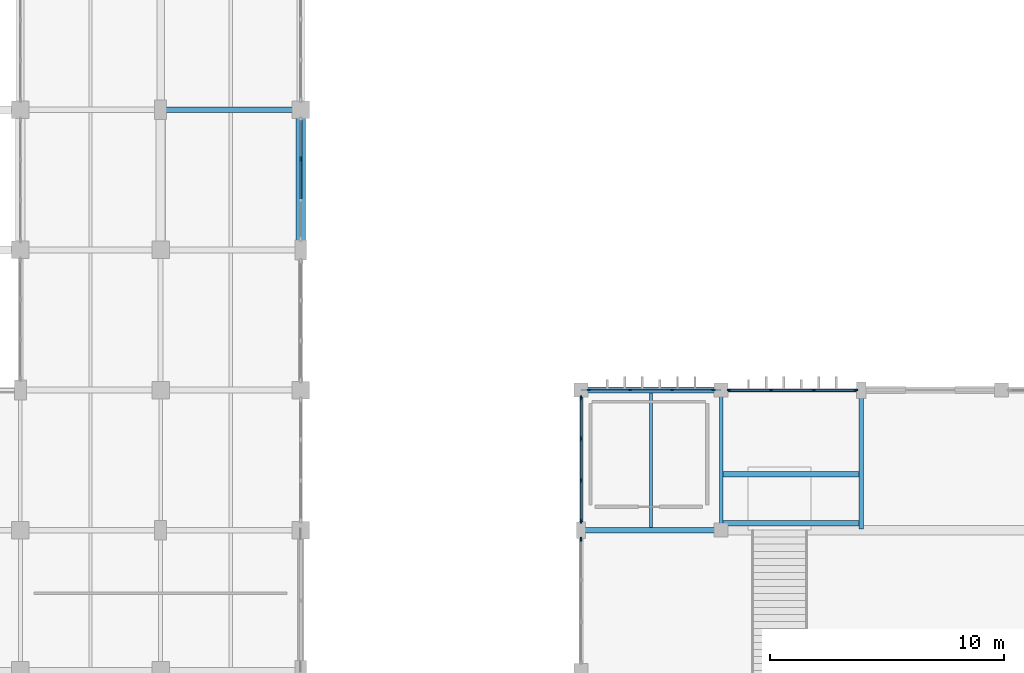
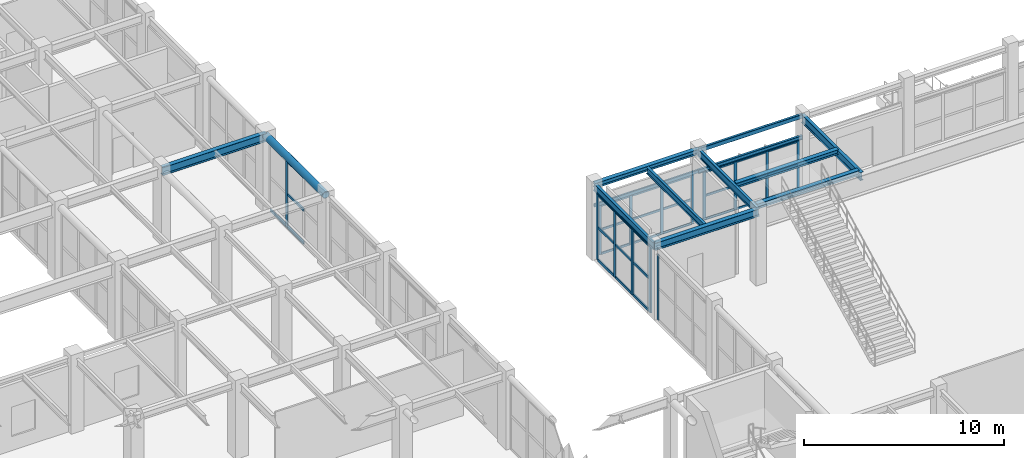
# One storey, part 12 of 76: 45 members, 13 beams, 5 elements without a shape of their own.
"""IFC4 building model written with IfcOpenShell, lengths in metres."""

from ifc_helpers import new_model, si_unit, direction, frame, origin, origin_2d, place, context, subcontext, project, spatial, rectangle, hollow_rectangle, hollow_circle, i_section, extrude, material, material_profile, profile_set, type_object, element, aggregate, save


model = new_model("IFC4")

# Units and contexts
model_context = context("Model", 3, precision=1e-05, world=origin(), true_north=direction((0.0, 1.0)))
body_context = subcontext(model_context, "Body", "Model", "MODEL_VIEW")
ifc_project = project(units=[si_unit("LENGTHUNIT", "METRE"), si_unit("AREAUNIT", "SQUARE_METRE"), si_unit("VOLUMEUNIT", "CUBIC_METRE"), si_unit("PLANEANGLEUNIT", "RADIAN"), si_unit("MASSUNIT", "GRAM", prefix="KILO")], contexts=[model_context])

# Site, building, storey
site_placement = place(None, origin())
site = spatial("IfcSite", under=ifc_project, at=site_placement, CompositionType="ELEMENT")
building_placement = place(site_placement, origin())
building = spatial("IfcBuilding", under=site, at=building_placement, Name="Varnakota Square Police Headquarters", CompositionType="ELEMENT")
storey_placement = place(building_placement, origin())
storey = spatial("IfcBuildingStorey", under=building, at=storey_placement, Name="L00", CompositionType="ELEMENT", Elevation=0.0)

# Beams
ifc_material_1 = material(Name="Steel IS 2062 Grade 350", Category="steel")
ifc_material_profile_1 = material_profile(ifc_material_1, hollow_circle(Radius=0.203125, WallThickness=0.01611328125, at=origin_2d()), Name="CHS 406.4x16.0")
ifc_profile_set_1 = profile_set([ifc_material_profile_1], Name="Steel IS 2062 Grade 350")
beam_type_1 = type_object("IfcBeamType", Name="BM-ARC-CHS406", PredefinedType="BEAM", material=ifc_profile_set_1)
beam_1_placement = place(storey_placement, frame((42.0, 45.0, 4.296875), z_axis=(0.0, 1.0, 0.0), x_axis=(-1.0, 0.0, 0.0)))
element("IfcBeam", 1, at=beam_1_placement, inside=storey, type_object=beam_type_1, Name="BMG-L00-1017", PredefinedType="BEAM", context=body_context, shape_type="SweptSolid", body=[
    extrude(hollow_circle(Radius=0.203125, WallThickness=0.01611328125, at=origin_2d()), origin(), (0.0, 0.0, 1.0), 6.0),
])
ifc_material_profile_2 = material_profile(ifc_material_1, hollow_rectangle(XDim=0.14990234375, YDim=0.25, WallThickness=0.010009765625, InnerFilletRadius=0.010009765625, OuterFilletRadius=0.02001953125, at=origin_2d()), Name="RHS 250x150x10")
ifc_profile_set_2 = profile_set([ifc_material_profile_2], Name="Steel IS 2062 Grade 350")
beam_type_2 = type_object("IfcBeamType", Name="BM-CBEAM-RHS250", PredefinedType="BEAM", material=ifc_profile_set_2)
beam_2_placement = place(storey_placement, frame((60.0, 39.0, 4.375), z_axis=(1.0, 0.0, 0.0), x_axis=(0.0, 1.0, 0.0)))
element("IfcBeam", 2, at=beam_2_placement, inside=storey, type_object=beam_type_2, Name="BMG-L00-0780", PredefinedType="BEAM", context=body_context, shape_type="SweptSolid", body=[
    extrude(hollow_rectangle(XDim=0.14990234375, YDim=0.25, WallThickness=0.010009765625, InnerFilletRadius=0.010009765625, OuterFilletRadius=0.02001953125, at=origin_2d()), origin(), (0.0, 0.0, 1.0), 6.0),
])
ifc_material_profile_3 = material_profile(ifc_material_1, i_section(OverallWidth=0.25, OverallDepth=0.300048828125, WebThickness=0.009521484375, FlangeThickness=0.010498046875, FilletRadius=0.011962890625, at=origin_2d()), Name="ISHB 300")
ifc_profile_set_3 = profile_set([ifc_material_profile_3], Name="Steel IS 2062 Grade 350")
beam_type_3 = type_object("IfcBeamType", Name="BM-ISHB300", PredefinedType="BEAM", material=ifc_profile_set_3)
beam_3_placement = place(storey_placement, frame((54.0, 39.0, 4.35009765625), z_axis=(1.0, 0.0, 0.0), x_axis=(0.0, 1.0, 0.0)))
element("IfcBeam", 3, at=beam_3_placement, inside=storey, type_object=beam_type_3, Name="BMG-L00-0779", PredefinedType="BEAM", context=body_context, shape_type="SweptSolid", body=[
    extrude(i_section(OverallWidth=0.25, OverallDepth=0.300048828125, WebThickness=0.009521484375, FlangeThickness=0.010498046875, FilletRadius=0.011962890625, at=origin_2d()), origin(), (0.0, 0.0, 1.0), 6.0),
])
for number, where, z_axis, x_axis, name in (
    (4, (60.050048828125, 33.300048828125, 4.429931640625), (1.0, 0.0, 0.0), (0.0, 1.0, 0.0), "Feature stair landing front trimmer L00"),
    (5, (60.050048828125, 35.39990234375, 4.429931640625), (1.0, 0.0, 0.0), (0.0, 1.0, 0.0), "Feature stair landing rear trimmer L00"),
):
    element("IfcBeam", number, at=place(storey_placement, frame(where, z_axis=z_axis, x_axis=x_axis)), inside=storey, type_object=beam_type_3, Name=name, PredefinedType="BEAM", context=body_context, shape_type="SweptSolid", body=[
        extrude(i_section(OverallWidth=0.25, OverallDepth=0.300048828125, WebThickness=0.009521484375, FlangeThickness=0.010498046875, FilletRadius=0.011962890625, at=origin_2d()), origin(), (0.0, 0.0, 1.0), 5.89990234375),
    ])
ifc_material_profile_4 = material_profile(ifc_material_1, i_section(OverallWidth=0.25, OverallDepth=0.449951171875, WebThickness=0.01123046875, FlangeThickness=0.013671875, FilletRadius=0.014892578125, at=origin_2d()), Name="ISHB 450")
ifc_profile_set_4 = profile_set([ifc_material_profile_4], Name="Steel IS 2062 Grade 350")
beam_type_4 = type_object("IfcBeamType", Name="BM-ISHB450", PredefinedType="BEAM", material=ifc_profile_set_4)
beam_4_placement = place(storey_placement, frame((54.0, 33.0, 4.27490234375), z_axis=(1.0, 0.0, 0.0), x_axis=(0.0, 1.0, 0.0)))
element("IfcBeam", 6, at=beam_4_placement, inside=storey, type_object=beam_type_4, Name="BMG-L00-0768", PredefinedType="BEAM", context=body_context, shape_type="SweptSolid", body=[
    extrude(i_section(OverallWidth=0.25, OverallDepth=0.449951171875, WebThickness=0.01123046875, FlangeThickness=0.013671875, FilletRadius=0.014892578125, at=origin_2d()), origin(), (0.0, 0.0, 1.0), 6.0),
])
ifc_material_profile_5 = material_profile(ifc_material_1, i_section(OverallWidth=0.125, OverallDepth=0.25, WebThickness=0.0068359375, FlangeThickness=0.012451171875, FilletRadius=0.012939453125, at=origin_2d()), Name="ISMB 250")
ifc_profile_set_5 = profile_set([ifc_material_profile_5], Name="Steel IS 2062 Grade 350")
beam_type_5 = type_object("IfcBeamType", Name="BM-ISMB250", PredefinedType="LINTEL", material=ifc_profile_set_5)
beam_5_placement = place(storey_placement, frame((60.0, 39.0, 3.074951171875), z_axis=(1.0, 0.0, 0.0), x_axis=(0.0, 1.0, 0.0)))
element("IfcBeam", 7, at=beam_5_placement, inside=storey, type_object=beam_type_5, Name="Court lintel LNT-N02", PredefinedType="LINTEL", context=body_context, shape_type="SweptSolid", body=[
    extrude(i_section(OverallWidth=0.125, OverallDepth=0.25, WebThickness=0.0068359375, FlangeThickness=0.012451171875, FilletRadius=0.012939453125, at=origin_2d()), origin(), (0.0, 0.0, 1.0), 6.0),
])
ifc_material_profile_6 = material_profile(ifc_material_1, i_section(OverallWidth=0.139892578125, OverallDepth=0.39990234375, WebThickness=0.0087890625, FlangeThickness=0.01611328125, FilletRadius=0.013916015625, at=origin_2d()), Name="ISMB 400")
ifc_profile_set_6 = profile_set([ifc_material_profile_6], Name="Steel IS 2062 Grade 350")
beam_type_6 = type_object("IfcBeamType", Name="BM-ISMB400", PredefinedType="JOIST", material=ifc_profile_set_6)
beam_6_placement = place(storey_placement, frame((57.0, 33.123046875, 4.300048828125), z_axis=(0.0, 1.0, 0.0), x_axis=(-1.0, 0.0, 0.0)))
element("IfcBeam", 8, at=beam_6_placement, inside=storey, type_object=beam_type_6, Name="BMG-L00-1242", PredefinedType="JOIST", context=body_context, shape_type="SweptSolid", body=[
    extrude(i_section(OverallWidth=0.139892578125, OverallDepth=0.39990234375, WebThickness=0.0087890625, FlangeThickness=0.01611328125, FilletRadius=0.013916015625, at=origin_2d()), origin(), (0.0, 0.0, 1.0), 5.75390625),
])
ifc_material_profile_7 = material_profile(ifc_material_1, i_section(OverallWidth=0.14990234375, OverallDepth=0.449951171875, WebThickness=0.009521484375, FlangeThickness=0.017333984375, FilletRadius=0.014892578125, at=origin_2d()), Name="ISMB 450")
ifc_profile_set_7 = profile_set([ifc_material_profile_7], Name="Steel IS 2062 Grade 350")
beam_type_7 = type_object("IfcBeamType", Name="BM-ISMB450", PredefinedType="BEAM", material=ifc_profile_set_7)
for number, where, z_axis, x_axis, name in (
    (9, (54.0, 33.0, 4.27490234375), (0.0, 1.0, 0.0), (-1.0, 0.0, 0.0), "BMG-L00-1035"),
    (10, (60.0, 33.0, 4.27490234375), (0.0, 1.0, 0.0), (-1.0, 0.0, 0.0), "BMG-L00-1043"),
):
    element("IfcBeam", number, at=place(storey_placement, frame(where, z_axis=z_axis, x_axis=x_axis)), inside=storey, type_object=beam_type_7, Name=name, PredefinedType="BEAM", context=body_context, shape_type="SweptSolid", body=[
        extrude(i_section(OverallWidth=0.14990234375, OverallDepth=0.449951171875, WebThickness=0.009521484375, FlangeThickness=0.017333984375, FilletRadius=0.014892578125, at=origin_2d()), origin(), (0.0, 0.0, 1.0), 6.0),
    ])
ifc_material_profile_8 = material_profile(ifc_material_1, i_section(OverallWidth=0.179931640625, OverallDepth=0.5, WebThickness=0.01025390625, FlangeThickness=0.01708984375, FilletRadius=0.01708984375, at=origin_2d()), Name="ISMB 500")
ifc_profile_set_8 = profile_set([ifc_material_profile_8], Name="Steel IS 2062 Grade 350")
beam_type_8 = type_object("IfcBeamType", Name="BM-ISMB500", PredefinedType="BEAM", material=ifc_profile_set_8)
beam_7_placement = place(storey_placement, frame((66.0, 33.050048828125, 4.27001953125), z_axis=(0.0, 1.0, 0.0), x_axis=(-1.0, 0.0, 0.0)))
element("IfcBeam", 11, at=beam_7_placement, inside=storey, type_object=beam_type_8, Name="Gallery trimmer girder ST-CIV1 E", PredefinedType="BEAM", context=body_context, shape_type="SweptSolid", body=[
    extrude(i_section(OverallWidth=0.179931640625, OverallDepth=0.5, WebThickness=0.01025390625, FlangeThickness=0.01708984375, FilletRadius=0.01708984375, at=origin_2d()), origin(), (0.0, 0.0, 1.0), 5.89990234375),
])
ifc_material_profile_9 = material_profile(ifc_material_1, i_section(OverallWidth=0.25, OverallDepth=0.5, WebThickness=0.010009765625, FlangeThickness=0.0146484375, FilletRadius=0.014892578125, at=origin_2d()), Name="ISWB 500")
ifc_profile_set_9 = profile_set([ifc_material_profile_9], Name="Steel IS 2062 Grade 350")
beam_type_9 = type_object("IfcBeamType", Name="BM-ISWB500", PredefinedType="BEAM", material=ifc_profile_set_9)
beam_8_placement = place(storey_placement, frame((36.0, 51.0, 4.25), z_axis=(1.0, 0.0, 0.0), x_axis=(0.0, 1.0, 0.0)))
element("IfcBeam", 12, at=beam_8_placement, inside=storey, type_object=beam_type_9, Name="BMG-L00-0802", PredefinedType="BEAM", context=body_context, shape_type="SweptSolid", body=[
    extrude(i_section(OverallWidth=0.25, OverallDepth=0.5, WebThickness=0.010009765625, FlangeThickness=0.0146484375, FilletRadius=0.014892578125, at=origin_2d()), origin(), (0.0, 0.0, 1.0), 6.0),
])
ifc_material_profile_10 = material_profile(ifc_material_1, hollow_rectangle(XDim=0.10009765625, YDim=0.199951171875, WallThickness=0.008056640625, InnerFilletRadius=0.008056640625, OuterFilletRadius=0.01611328125, at=origin_2d()), Name="RHS 200x100x8")
ifc_profile_set_10 = profile_set([ifc_material_profile_10], Name="Steel IS 2062 Grade 350")
beam_type_10 = type_object("IfcBeamType", Name="BM-LNT-RHS200", PredefinedType="LINTEL", material=ifc_profile_set_10)
beam_9_placement = place(storey_placement, frame((54.0, 39.0, 3.10009765625), z_axis=(1.0, 0.0, 0.0), x_axis=(0.0, 1.0, 0.0)))
element("IfcBeam", 13, at=beam_9_placement, inside=storey, type_object=beam_type_10, Name="Court lintel LNT-N01", PredefinedType="LINTEL", context=body_context, shape_type="SweptSolid", body=[
    extrude(hollow_rectangle(XDim=0.10009765625, YDim=0.199951171875, WallThickness=0.008056640625, InnerFilletRadius=0.008056640625, OuterFilletRadius=0.01611328125, at=origin_2d()), origin(), (0.0, 0.0, 1.0), 6.0),
])

# Curtain wall, members
ifc_material_2 = material(Name="Anodised Aluminium Framing", Category="aluminium")
curtain_wall_type_1 = type_object("IfcCurtainWallType", Name="CW-SYS-A", PredefinedType="NOTDEFINED", material=ifc_material_2)
curtain_wall_1_placement = place(storey_placement, origin())
curtain_wall_1 = element("IfcCurtainWall", 14, at=curtain_wall_1_placement, inside=storey, type_object=curtain_wall_type_1, Name="Unitised curtain wall CWG-L00-002", PredefinedType="NOTDEFINED")
ifc_material_3 = material(Name="Anodised Aluminium 6063-T6", Category="aluminium")
ifc_material_profile_11 = material_profile(ifc_material_3, rectangle(XDim=0.06494140625, YDim=0.159912109375, at=origin_2d()), Name="ALU MULLION 65x160")
ifc_profile_set_11 = profile_set([ifc_material_profile_11], Name="Anodised Aluminium 6063-T6")
member_type_1 = type_object("IfcMemberType", Name="CWM-150", PredefinedType="MULLION", material=ifc_profile_set_11)
member_1_placement = place(storey_placement, frame((54.33740234375, 39.0, 0.0), z_axis=(0.0, 0.0, 1.0), x_axis=(0.0, 1.0, 0.0)))
member_1 = element("IfcMember", 15, at=member_1_placement, type_object=member_type_1, Name="CWG-L00-002 mullion 1", PredefinedType="MULLION", context=body_context, shape_type="SweptSolid", body=[
    extrude(rectangle(XDim=0.06494140625, YDim=0.159912109375, at=origin_2d()), origin(), (0.0, 0.0, 1.0), 2.989990234375),
])
member_2_placement = place(storey_placement, frame((56.1015625, 39.0, 0.0), z_axis=(0.0, 0.0, 1.0), x_axis=(0.0, 1.0, 0.0)))
member_2 = element("IfcMember", 16, at=member_2_placement, type_object=member_type_1, Name="CWG-L00-002 mullion 2", PredefinedType="MULLION", context=body_context, shape_type="SweptSolid", body=[
    extrude(rectangle(XDim=0.06494140625, YDim=0.159912109375, at=origin_2d()), origin(), (0.0, 0.0, 1.0), 2.989990234375),
])
member_3_placement = place(storey_placement, frame((57.8984375, 39.0, 0.0), z_axis=(0.0, 0.0, 1.0), x_axis=(0.0, 1.0, 0.0)))
member_3 = element("IfcMember", 17, at=member_3_placement, type_object=member_type_1, Name="CWG-L00-002 mullion 3", PredefinedType="MULLION", context=body_context, shape_type="SweptSolid", body=[
    extrude(rectangle(XDim=0.06494140625, YDim=0.159912109375, at=origin_2d()), origin(), (0.0, 0.0, 1.0), 2.989990234375),
])
member_4_placement = place(storey_placement, frame((59.66259765625, 39.0, 0.0), z_axis=(0.0, 0.0, 1.0), x_axis=(0.0, 1.0, 0.0)))
member_4 = element("IfcMember", 18, at=member_4_placement, type_object=member_type_1, Name="CWG-L00-002 mullion 4", PredefinedType="MULLION", context=body_context, shape_type="SweptSolid", body=[
    extrude(rectangle(XDim=0.06494140625, YDim=0.159912109375, at=origin_2d()), origin(), (0.0, 0.0, 1.0), 2.989990234375),
])

curtain_wall_2_placement = place(storey_placement, origin())
curtain_wall_2 = element("IfcCurtainWall", 19, at=curtain_wall_2_placement, inside=storey, type_object=curtain_wall_type_1, Name="Unitised curtain wall CWG-L00-003", PredefinedType="NOTDEFINED")
member_5_placement = place(storey_placement, frame((60.33740234375, 39.0, 0.0), z_axis=(0.0, 0.0, 1.0), x_axis=(0.0, 1.0, 0.0)))
member_5 = element("IfcMember", 20, at=member_5_placement, type_object=member_type_1, Name="CWG-L00-003 mullion 1", PredefinedType="MULLION", context=body_context, shape_type="SweptSolid", body=[
    extrude(rectangle(XDim=0.06494140625, YDim=0.159912109375, at=origin_2d()), origin(), (0.0, 0.0, 1.0), 2.93994140625),
])
member_6_placement = place(storey_placement, frame((62.135009765625, 39.0, 0.0), z_axis=(0.0, 0.0, 1.0), x_axis=(0.0, 1.0, 0.0)))
member_6 = element("IfcMember", 21, at=member_6_placement, type_object=member_type_1, Name="CWG-L00-003 mullion 2", PredefinedType="MULLION", context=body_context, shape_type="SweptSolid", body=[
    extrude(rectangle(XDim=0.06494140625, YDim=0.159912109375, at=origin_2d()), origin(), (0.0, 0.0, 1.0), 2.93994140625),
])
member_7_placement = place(storey_placement, frame((63.965087890625, 39.0, 0.0), z_axis=(0.0, 0.0, 1.0), x_axis=(0.0, 1.0, 0.0)))
member_7 = element("IfcMember", 22, at=member_7_placement, type_object=member_type_1, Name="CWG-L00-003 mullion 3", PredefinedType="MULLION", context=body_context, shape_type="SweptSolid", body=[
    extrude(rectangle(XDim=0.06494140625, YDim=0.159912109375, at=origin_2d()), origin(), (0.0, 0.0, 1.0), 2.93994140625),
])
member_8_placement = place(storey_placement, frame((65.762451171875, 39.0, 0.0), z_axis=(0.0, 0.0, 1.0), x_axis=(0.0, 1.0, 0.0)))
member_8 = element("IfcMember", 23, at=member_8_placement, type_object=member_type_1, Name="CWG-L00-003 mullion 4", PredefinedType="MULLION", context=body_context, shape_type="SweptSolid", body=[
    extrude(rectangle(XDim=0.06494140625, YDim=0.159912109375, at=origin_2d()), origin(), (0.0, 0.0, 1.0), 2.93994140625),
])

# Curtain wall, member
curtain_wall_3_placement = place(storey_placement, origin())
curtain_wall_3 = element("IfcCurtainWall", 24, at=curtain_wall_3_placement, inside=storey, type_object=curtain_wall_type_1, Name="Unitised curtain wall CWG-L00-012", PredefinedType="NOTDEFINED")
member_9_placement = place(storey_placement, frame((54.0, 32.612548828125, 0.0), z_axis=(0.0, 0.0, 1.0), x_axis=(-1.0, 0.0, 0.0)))
member_9 = element("IfcMember", 25, at=member_9_placement, type_object=member_type_1, Name="CWG-L00-012 mullion 4", PredefinedType="MULLION", context=body_context, shape_type="SweptSolid", body=[
    extrude(rectangle(XDim=0.06494140625, YDim=0.159912109375, at=origin_2d()), origin(), (0.0, 0.0, 1.0), 3.989990234375),
])
aggregate(curtain_wall_3, [member_9])

# Curtain wall, members
curtain_wall_4_placement = place(storey_placement, origin())
curtain_wall_4 = element("IfcCurtainWall", 26, at=curtain_wall_4_placement, inside=storey, type_object=curtain_wall_type_1, Name="Unitised curtain wall CWG-L00-014", PredefinedType="NOTDEFINED")
ifc_material_profile_12 = material_profile(ifc_material_3, rectangle(XDim=0.074951171875, YDim=0.199951171875, at=origin_2d()), Name="ALU MULLION 75x200")
ifc_profile_set_12 = profile_set([ifc_material_profile_12], Name="Anodised Aluminium 6063-T6")
member_type_2 = type_object("IfcMemberType", Name="CWM-180", PredefinedType="MULLION", material=ifc_profile_set_12)
member_10_placement = place(storey_placement, frame((54.0, 33.392578125, 0.0), z_axis=(0.0, 0.0, 1.0), x_axis=(-1.0, 0.0, 0.0)))
member_10 = element("IfcMember", 27, at=member_10_placement, type_object=member_type_2, Name="CWG-L00-014 mullion 1", PredefinedType="MULLION", context=body_context, shape_type="SweptSolid", body=[
    extrude(rectangle(XDim=0.074951171875, YDim=0.199951171875, at=origin_2d()), origin(), (0.0, 0.0, 1.0), 4.0400390625),
])
member_11_placement = place(storey_placement, frame((54.0, 35.135009765625, 0.0), z_axis=(0.0, 0.0, 1.0), x_axis=(-1.0, 0.0, 0.0)))
member_11 = element("IfcMember", 28, at=member_11_placement, type_object=member_type_2, Name="CWG-L00-014 mullion 2", PredefinedType="MULLION", context=body_context, shape_type="SweptSolid", body=[
    extrude(rectangle(XDim=0.074951171875, YDim=0.199951171875, at=origin_2d()), origin(), (0.0, 0.0, 1.0), 4.0400390625),
])
member_12_placement = place(storey_placement, frame((54.0, 36.9150390625, 0.0), z_axis=(0.0, 0.0, 1.0), x_axis=(-1.0, 0.0, 0.0)))
member_12 = element("IfcMember", 29, at=member_12_placement, type_object=member_type_2, Name="CWG-L00-014 mullion 3", PredefinedType="MULLION", context=body_context, shape_type="SweptSolid", body=[
    extrude(rectangle(XDim=0.074951171875, YDim=0.199951171875, at=origin_2d()), origin(), (0.0, 0.0, 1.0), 4.0400390625),
])
member_13_placement = place(storey_placement, frame((54.0, 38.657470703125, 0.0), z_axis=(0.0, 0.0, 1.0), x_axis=(-1.0, 0.0, 0.0)))
member_13 = element("IfcMember", 30, at=member_13_placement, type_object=member_type_2, Name="CWG-L00-014 mullion 4", PredefinedType="MULLION", context=body_context, shape_type="SweptSolid", body=[
    extrude(rectangle(XDim=0.074951171875, YDim=0.199951171875, at=origin_2d()), origin(), (0.0, 0.0, 1.0), 4.0400390625),
])

# Curtain wall, member
curtain_wall_type_2 = type_object("IfcCurtainWallType", Name="CW-SYS-D", PredefinedType="NOTDEFINED", material=ifc_material_2)
curtain_wall_5_placement = place(storey_placement, origin())
curtain_wall_5 = element("IfcCurtainWall", 31, at=curtain_wall_5_placement, inside=storey, type_object=curtain_wall_type_2, Name="Unitised curtain wall CWG-L00-130", PredefinedType="NOTDEFINED")
member_14_placement = place(storey_placement, frame((42.0, 48.889892578125, 0.0), z_axis=(0.0, 0.0, 1.0), x_axis=(-1.0, 0.0, 0.0)))
member_14 = element("IfcMember", 32, at=member_14_placement, type_object=member_type_2, Name="CWG-L00-130 mullion 3", PredefinedType="MULLION", context=body_context, shape_type="SweptSolid", body=[
    extrude(rectangle(XDim=0.074951171875, YDim=0.199951171875, at=origin_2d()), origin(), (0.0, 0.0, 1.0), 4.08349609375),
])

# Member
ifc_material_profile_13 = material_profile(ifc_material_3, rectangle(XDim=0.06494140625, YDim=0.1298828125, at=origin_2d()), Name="ALU TRANSOM 65x130")
ifc_profile_set_13 = profile_set([ifc_material_profile_13], Name="Anodised Aluminium 6063-T6")
member_type_3 = type_object("IfcMemberType", Name="CWT-120", PredefinedType="USERDEFINED", material=ifc_profile_set_13)
member_15_placement = place(storey_placement, frame((54.3701171875, 39.0, 0.032470703125), z_axis=(1.0, 0.0, 0.0), x_axis=(0.0, 1.0, 0.0)))
member_15 = element("IfcMember", 33, at=member_15_placement, type_object=member_type_3, Name="CWG-L00-002 transom 1.1", ObjectType="TRANSOM", PredefinedType="USERDEFINED", context=body_context, shape_type="SweptSolid", body=[
    extrude(rectangle(XDim=0.06494140625, YDim=0.1298828125, at=origin_2d()), origin(), (0.0, 0.0, 1.0), 1.698974609375),
])

member_16_placement = place(storey_placement, frame((54.3701171875, 39.0, 1.4951171875), z_axis=(1.0, 0.0, 0.0), x_axis=(0.0, 1.0, 0.0)))
member_16 = element("IfcMember", 34, at=member_16_placement, type_object=member_type_3, Name="CWG-L00-002 transom 1.2", ObjectType="TRANSOM", PredefinedType="USERDEFINED", context=body_context, shape_type="SweptSolid", body=[
    extrude(rectangle(XDim=0.06494140625, YDim=0.1298828125, at=origin_2d()), origin(), (0.0, 0.0, 1.0), 1.698974609375),
])

member_17_placement = place(storey_placement, frame((54.3701171875, 39.0, 2.95751953125), z_axis=(1.0, 0.0, 0.0), x_axis=(0.0, 1.0, 0.0)))
member_17 = element("IfcMember", 35, at=member_17_placement, type_object=member_type_3, Name="CWG-L00-002 transom 1.3", ObjectType="TRANSOM", PredefinedType="USERDEFINED", context=body_context, shape_type="SweptSolid", body=[
    extrude(rectangle(XDim=0.06494140625, YDim=0.1298828125, at=origin_2d()), origin(), (0.0, 0.0, 1.0), 1.698974609375),
])

member_18_placement = place(storey_placement, frame((56.13427734375, 39.0, 0.032470703125), z_axis=(1.0, 0.0, 0.0), x_axis=(0.0, 1.0, 0.0)))
member_18 = element("IfcMember", 36, at=member_18_placement, type_object=member_type_3, Name="CWG-L00-002 transom 2.1", ObjectType="TRANSOM", PredefinedType="USERDEFINED", context=body_context, shape_type="SweptSolid", body=[
    extrude(rectangle(XDim=0.06494140625, YDim=0.1298828125, at=origin_2d()), origin(), (0.0, 0.0, 1.0), 1.7314453125),
])

member_19_placement = place(storey_placement, frame((56.13427734375, 39.0, 1.4951171875), z_axis=(1.0, 0.0, 0.0), x_axis=(0.0, 1.0, 0.0)))
member_19 = element("IfcMember", 37, at=member_19_placement, type_object=member_type_3, Name="CWG-L00-002 transom 2.2", ObjectType="TRANSOM", PredefinedType="USERDEFINED", context=body_context, shape_type="SweptSolid", body=[
    extrude(rectangle(XDim=0.06494140625, YDim=0.1298828125, at=origin_2d()), origin(), (0.0, 0.0, 1.0), 1.7314453125),
])

member_20_placement = place(storey_placement, frame((56.13427734375, 39.0, 2.95751953125), z_axis=(1.0, 0.0, 0.0), x_axis=(0.0, 1.0, 0.0)))
member_20 = element("IfcMember", 38, at=member_20_placement, type_object=member_type_3, Name="CWG-L00-002 transom 2.3", ObjectType="TRANSOM", PredefinedType="USERDEFINED", context=body_context, shape_type="SweptSolid", body=[
    extrude(rectangle(XDim=0.06494140625, YDim=0.1298828125, at=origin_2d()), origin(), (0.0, 0.0, 1.0), 1.7314453125),
])

member_21_placement = place(storey_placement, frame((57.930908203125, 39.0, 0.032470703125), z_axis=(1.0, 0.0, 0.0), x_axis=(0.0, 1.0, 0.0)))
member_21 = element("IfcMember", 39, at=member_21_placement, type_object=member_type_3, Name="CWG-L00-002 transom 3.1", ObjectType="TRANSOM", PredefinedType="USERDEFINED", context=body_context, shape_type="SweptSolid", body=[
    extrude(rectangle(XDim=0.06494140625, YDim=0.1298828125, at=origin_2d()), origin(), (0.0, 0.0, 1.0), 1.698974609375),
])

member_22_placement = place(storey_placement, frame((57.930908203125, 39.0, 1.4951171875), z_axis=(1.0, 0.0, 0.0), x_axis=(0.0, 1.0, 0.0)))
member_22 = element("IfcMember", 40, at=member_22_placement, type_object=member_type_3, Name="CWG-L00-002 transom 3.2", ObjectType="TRANSOM", PredefinedType="USERDEFINED", context=body_context, shape_type="SweptSolid", body=[
    extrude(rectangle(XDim=0.06494140625, YDim=0.1298828125, at=origin_2d()), origin(), (0.0, 0.0, 1.0), 1.698974609375),
])

member_23_placement = place(storey_placement, frame((57.930908203125, 39.0, 2.95751953125), z_axis=(1.0, 0.0, 0.0), x_axis=(0.0, 1.0, 0.0)))
member_23 = element("IfcMember", 41, at=member_23_placement, type_object=member_type_3, Name="CWG-L00-002 transom 3.3", ObjectType="TRANSOM", PredefinedType="USERDEFINED", context=body_context, shape_type="SweptSolid", body=[
    extrude(rectangle(XDim=0.06494140625, YDim=0.1298828125, at=origin_2d()), origin(), (0.0, 0.0, 1.0), 1.698974609375),
])

aggregate(curtain_wall_1, [member_1, member_2, member_3, member_4, member_15, member_16, member_17, member_18, member_19, member_20, member_21, member_22, member_23])

member_24_placement = place(storey_placement, frame((60.3701171875, 39.0, 0.032470703125), z_axis=(1.0, 0.0, 0.0), x_axis=(0.0, 1.0, 0.0)))
member_24 = element("IfcMember", 42, at=member_24_placement, type_object=member_type_3, Name="CWG-L00-003 transom 1.1", ObjectType="TRANSOM", PredefinedType="USERDEFINED", context=body_context, shape_type="SweptSolid", body=[
    extrude(rectangle(XDim=0.06494140625, YDim=0.1298828125, at=origin_2d()), origin(), (0.0, 0.0, 1.0), 1.732421875),
])

member_25_placement = place(storey_placement, frame((60.3701171875, 39.0, 1.469970703125), z_axis=(1.0, 0.0, 0.0), x_axis=(0.0, 1.0, 0.0)))
member_25 = element("IfcMember", 43, at=member_25_placement, type_object=member_type_3, Name="CWG-L00-003 transom 1.2", ObjectType="TRANSOM", PredefinedType="USERDEFINED", context=body_context, shape_type="SweptSolid", body=[
    extrude(rectangle(XDim=0.06494140625, YDim=0.1298828125, at=origin_2d()), origin(), (0.0, 0.0, 1.0), 1.732421875),
])

member_26_placement = place(storey_placement, frame((60.3701171875, 39.0, 2.907470703125), z_axis=(1.0, 0.0, 0.0), x_axis=(0.0, 1.0, 0.0)))
member_26 = element("IfcMember", 44, at=member_26_placement, type_object=member_type_3, Name="CWG-L00-003 transom 1.3", ObjectType="TRANSOM", PredefinedType="USERDEFINED", context=body_context, shape_type="SweptSolid", body=[
    extrude(rectangle(XDim=0.06494140625, YDim=0.1298828125, at=origin_2d()), origin(), (0.0, 0.0, 1.0), 1.732421875),
])

member_27_placement = place(storey_placement, frame((62.16748046875, 39.0, 0.032470703125), z_axis=(1.0, 0.0, 0.0), x_axis=(0.0, 1.0, 0.0)))
member_27 = element("IfcMember", 45, at=member_27_placement, type_object=member_type_3, Name="CWG-L00-003 transom 2.1", ObjectType="TRANSOM", PredefinedType="USERDEFINED", context=body_context, shape_type="SweptSolid", body=[
    extrude(rectangle(XDim=0.06494140625, YDim=0.1298828125, at=origin_2d()), origin(), (0.0, 0.0, 1.0), 1.76513671875),
])

member_28_placement = place(storey_placement, frame((62.16748046875, 39.0, 1.469970703125), z_axis=(1.0, 0.0, 0.0), x_axis=(0.0, 1.0, 0.0)))
member_28 = element("IfcMember", 46, at=member_28_placement, type_object=member_type_3, Name="CWG-L00-003 transom 2.2", ObjectType="TRANSOM", PredefinedType="USERDEFINED", context=body_context, shape_type="SweptSolid", body=[
    extrude(rectangle(XDim=0.06494140625, YDim=0.1298828125, at=origin_2d()), origin(), (0.0, 0.0, 1.0), 1.76513671875),
])

member_29_placement = place(storey_placement, frame((62.16748046875, 39.0, 2.907470703125), z_axis=(1.0, 0.0, 0.0), x_axis=(0.0, 1.0, 0.0)))
member_29 = element("IfcMember", 47, at=member_29_placement, type_object=member_type_3, Name="CWG-L00-003 transom 2.3", ObjectType="TRANSOM", PredefinedType="USERDEFINED", context=body_context, shape_type="SweptSolid", body=[
    extrude(rectangle(XDim=0.06494140625, YDim=0.1298828125, at=origin_2d()), origin(), (0.0, 0.0, 1.0), 1.76513671875),
])

member_30_placement = place(storey_placement, frame((63.99755859375, 39.0, 0.032470703125), z_axis=(1.0, 0.0, 0.0), x_axis=(0.0, 1.0, 0.0)))
member_30 = element("IfcMember", 48, at=member_30_placement, type_object=member_type_3, Name="CWG-L00-003 transom 3.1", ObjectType="TRANSOM", PredefinedType="USERDEFINED", context=body_context, shape_type="SweptSolid", body=[
    extrude(rectangle(XDim=0.06494140625, YDim=0.1298828125, at=origin_2d()), origin(), (0.0, 0.0, 1.0), 1.732421875),
])

member_31_placement = place(storey_placement, frame((63.99755859375, 39.0, 1.469970703125), z_axis=(1.0, 0.0, 0.0), x_axis=(0.0, 1.0, 0.0)))
member_31 = element("IfcMember", 49, at=member_31_placement, type_object=member_type_3, Name="CWG-L00-003 transom 3.2", ObjectType="TRANSOM", PredefinedType="USERDEFINED", context=body_context, shape_type="SweptSolid", body=[
    extrude(rectangle(XDim=0.06494140625, YDim=0.1298828125, at=origin_2d()), origin(), (0.0, 0.0, 1.0), 1.732421875),
])

member_32_placement = place(storey_placement, frame((63.99755859375, 39.0, 2.907470703125), z_axis=(1.0, 0.0, 0.0), x_axis=(0.0, 1.0, 0.0)))
member_32 = element("IfcMember", 50, at=member_32_placement, type_object=member_type_3, Name="CWG-L00-003 transom 3.3", ObjectType="TRANSOM", PredefinedType="USERDEFINED", context=body_context, shape_type="SweptSolid", body=[
    extrude(rectangle(XDim=0.06494140625, YDim=0.1298828125, at=origin_2d()), origin(), (0.0, 0.0, 1.0), 1.732421875),
])

aggregate(curtain_wall_2, [member_5, member_6, member_7, member_8, member_24, member_25, member_26, member_27, member_28, member_29, member_30, member_31, member_32])

ifc_material_profile_14 = material_profile(ifc_material_3, rectangle(XDim=0.074951171875, YDim=0.159912109375, at=origin_2d()), Name="ALU TRANSOM 75x160")
ifc_profile_set_14 = profile_set([ifc_material_profile_14], Name="Anodised Aluminium 6063-T6")
member_type_4 = type_object("IfcMemberType", Name="CWT-150", PredefinedType="USERDEFINED", material=ifc_profile_set_14)
member_33_placement = place(storey_placement, frame((54.0, 33.429931640625, 0.03759765625), z_axis=(0.0, 1.0, 0.0), x_axis=(-1.0, 0.0, 0.0)))
member_33 = element("IfcMember", 51, at=member_33_placement, type_object=member_type_4, Name="CWG-L00-014 transom 1.1", ObjectType="TRANSOM", PredefinedType="USERDEFINED", context=body_context, shape_type="SweptSolid", body=[
    extrude(rectangle(XDim=0.074951171875, YDim=0.159912109375, at=origin_2d()), origin(), (0.0, 0.0, 1.0), 1.66748046875),
])

member_34_placement = place(storey_placement, frame((54.0, 33.429931640625, 2.02001953125), z_axis=(0.0, 1.0, 0.0), x_axis=(-1.0, 0.0, 0.0)))
member_34 = element("IfcMember", 52, at=member_34_placement, type_object=member_type_4, Name="CWG-L00-014 transom 1.2", ObjectType="TRANSOM", PredefinedType="USERDEFINED", context=body_context, shape_type="SweptSolid", body=[
    extrude(rectangle(XDim=0.074951171875, YDim=0.159912109375, at=origin_2d()), origin(), (0.0, 0.0, 1.0), 1.66748046875),
])

member_35_placement = place(storey_placement, frame((54.0, 33.429931640625, 4.00244140625), z_axis=(0.0, 1.0, 0.0), x_axis=(-1.0, 0.0, 0.0)))
member_35 = element("IfcMember", 53, at=member_35_placement, type_object=member_type_4, Name="CWG-L00-014 transom 1.3", ObjectType="TRANSOM", PredefinedType="USERDEFINED", context=body_context, shape_type="SweptSolid", body=[
    extrude(rectangle(XDim=0.074951171875, YDim=0.159912109375, at=origin_2d()), origin(), (0.0, 0.0, 1.0), 1.66748046875),
])

member_36_placement = place(storey_placement, frame((54.0, 35.172607421875, 0.03759765625), z_axis=(0.0, 1.0, 0.0), x_axis=(-1.0, 0.0, 0.0)))
member_36 = element("IfcMember", 54, at=member_36_placement, type_object=member_type_4, Name="CWG-L00-014 transom 2.1", ObjectType="TRANSOM", PredefinedType="USERDEFINED", context=body_context, shape_type="SweptSolid", body=[
    extrude(rectangle(XDim=0.074951171875, YDim=0.159912109375, at=origin_2d()), origin(), (0.0, 0.0, 1.0), 1.704833984375),
])

member_37_placement = place(storey_placement, frame((54.0, 35.172607421875, 2.02001953125), z_axis=(0.0, 1.0, 0.0), x_axis=(-1.0, 0.0, 0.0)))
member_37 = element("IfcMember", 55, at=member_37_placement, type_object=member_type_4, Name="CWG-L00-014 transom 2.2", ObjectType="TRANSOM", PredefinedType="USERDEFINED", context=body_context, shape_type="SweptSolid", body=[
    extrude(rectangle(XDim=0.074951171875, YDim=0.159912109375, at=origin_2d()), origin(), (0.0, 0.0, 1.0), 1.704833984375),
])

member_38_placement = place(storey_placement, frame((54.0, 35.172607421875, 4.00244140625), z_axis=(0.0, 1.0, 0.0), x_axis=(-1.0, 0.0, 0.0)))
member_38 = element("IfcMember", 56, at=member_38_placement, type_object=member_type_4, Name="CWG-L00-014 transom 2.3", ObjectType="TRANSOM", PredefinedType="USERDEFINED", context=body_context, shape_type="SweptSolid", body=[
    extrude(rectangle(XDim=0.074951171875, YDim=0.159912109375, at=origin_2d()), origin(), (0.0, 0.0, 1.0), 1.704833984375),
])

member_39_placement = place(storey_placement, frame((54.0, 36.952392578125, 0.03759765625), z_axis=(0.0, 1.0, 0.0), x_axis=(-1.0, 0.0, 0.0)))
member_39 = element("IfcMember", 57, at=member_39_placement, type_object=member_type_4, Name="CWG-L00-014 transom 3.1", ObjectType="TRANSOM", PredefinedType="USERDEFINED", context=body_context, shape_type="SweptSolid", body=[
    extrude(rectangle(XDim=0.074951171875, YDim=0.159912109375, at=origin_2d()), origin(), (0.0, 0.0, 1.0), 1.667724609375),
])

member_40_placement = place(storey_placement, frame((54.0, 36.952392578125, 2.02001953125), z_axis=(0.0, 1.0, 0.0), x_axis=(-1.0, 0.0, 0.0)))
member_40 = element("IfcMember", 58, at=member_40_placement, type_object=member_type_4, Name="CWG-L00-014 transom 3.2", ObjectType="TRANSOM", PredefinedType="USERDEFINED", context=body_context, shape_type="SweptSolid", body=[
    extrude(rectangle(XDim=0.074951171875, YDim=0.159912109375, at=origin_2d()), origin(), (0.0, 0.0, 1.0), 1.667724609375),
])

member_41_placement = place(storey_placement, frame((54.0, 36.952392578125, 4.00244140625), z_axis=(0.0, 1.0, 0.0), x_axis=(-1.0, 0.0, 0.0)))
member_41 = element("IfcMember", 59, at=member_41_placement, type_object=member_type_4, Name="CWG-L00-014 transom 3.3", ObjectType="TRANSOM", PredefinedType="USERDEFINED", context=body_context, shape_type="SweptSolid", body=[
    extrude(rectangle(XDim=0.074951171875, YDim=0.159912109375, at=origin_2d()), origin(), (0.0, 0.0, 1.0), 1.667724609375),
])

aggregate(curtain_wall_4, [member_10, member_11, member_12, member_13, member_33, member_34, member_35, member_36, member_37, member_38, member_39, member_40, member_41])

member_42_placement = place(storey_placement, frame((42.0, 47.197509765625, 0.03759765625), z_axis=(0.0, 1.0, 0.0), x_axis=(-1.0, 0.0, 0.0)))
member_42 = element("IfcMember", 60, at=member_42_placement, type_object=member_type_4, Name="CWG-L00-130 transom 2.1", ObjectType="TRANSOM", PredefinedType="USERDEFINED", context=body_context, shape_type="SweptSolid", body=[
    extrude(rectangle(XDim=0.074951171875, YDim=0.159912109375, at=origin_2d()), origin(), (0.0, 0.0, 1.0), 1.655029296875),
])

member_43_placement = place(storey_placement, frame((42.0, 47.197509765625, 2.041748046875), z_axis=(0.0, 1.0, 0.0), x_axis=(-1.0, 0.0, 0.0)))
member_43 = element("IfcMember", 61, at=member_43_placement, type_object=member_type_4, Name="CWG-L00-130 transom 2.2", ObjectType="TRANSOM", PredefinedType="USERDEFINED", context=body_context, shape_type="SweptSolid", body=[
    extrude(rectangle(XDim=0.074951171875, YDim=0.159912109375, at=origin_2d()), origin(), (0.0, 0.0, 1.0), 1.655029296875),
])

member_44_placement = place(storey_placement, frame((42.0, 47.197509765625, 4.046142578125), z_axis=(0.0, 1.0, 0.0), x_axis=(-1.0, 0.0, 0.0)))
member_44 = element("IfcMember", 62, at=member_44_placement, type_object=member_type_4, Name="CWG-L00-130 transom 2.3", ObjectType="TRANSOM", PredefinedType="USERDEFINED", context=body_context, shape_type="SweptSolid", body=[
    extrude(rectangle(XDim=0.074951171875, YDim=0.159912109375, at=origin_2d()), origin(), (0.0, 0.0, 1.0), 1.655029296875),
])

member_45_placement = place(storey_placement, frame((42.0, 48.927490234375, 0.03759765625), z_axis=(0.0, 1.0, 0.0), x_axis=(-1.0, 0.0, 0.0)))
member_45 = element("IfcMember", 63, at=member_45_placement, type_object=member_type_4, Name="CWG-L00-130 transom 3.1", ObjectType="TRANSOM", PredefinedType="USERDEFINED", context=body_context, shape_type="SweptSolid", body=[
    extrude(rectangle(XDim=0.074951171875, YDim=0.159912109375, at=origin_2d()), origin(), (0.0, 0.0, 1.0), 1.617431640625),
])

aggregate(curtain_wall_5, [member_14, member_42, member_43, member_44, member_45])

save(model, "model.ifc")
